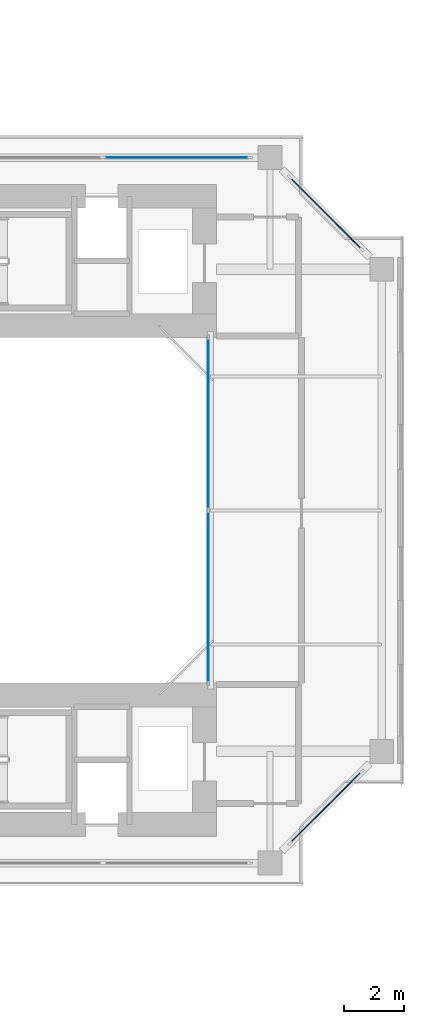
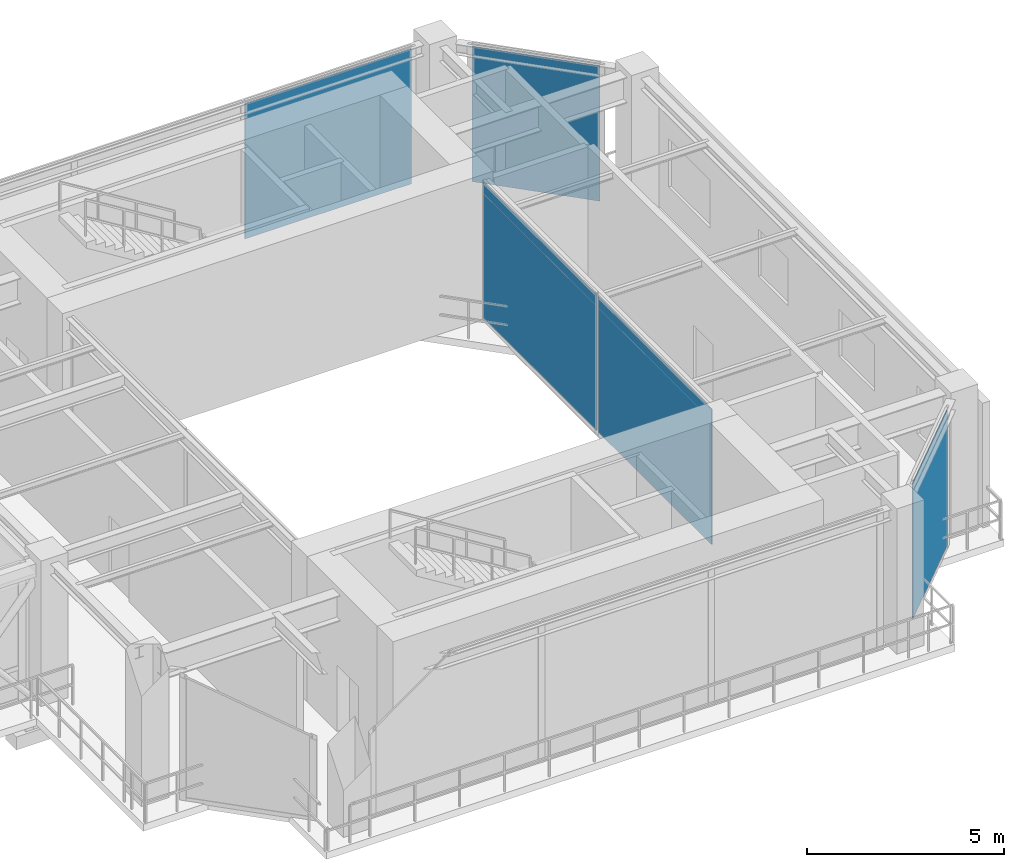
# One storey, part 14 of 25: 5 plates, 4 elements without a shape of their own.
"""IFC4 building model written with IfcOpenShell, lengths in metres."""

from ifc_helpers import new_model, si_unit, direction, frame, origin, origin_2d, place, context, subcontext, project, spatial, rectangle, extrude, source, transform, mapped, material, layer, layer_set, type_object, element, aggregate, save


model = new_model("IFC4")

# Units and contexts
model_context = context("Model", 3, precision=1e-05, world=origin(), true_north=direction((0.0, 1.0)))
body_context = subcontext(model_context, "Body", "Model", "MODEL_VIEW")
ifc_project = project(units=[si_unit("LENGTHUNIT", "METRE"), si_unit("AREAUNIT", "SQUARE_METRE"), si_unit("VOLUMEUNIT", "CUBIC_METRE"), si_unit("PLANEANGLEUNIT", "RADIAN"), si_unit("MASSUNIT", "GRAM", prefix="KILO"), si_unit("THERMODYNAMICTEMPERATUREUNIT", "KELVIN"), si_unit("POWERUNIT", "WATT")], contexts=[model_context])

# Site, building, storey
site_placement = place(None, origin())
site = spatial("IfcSite", under=ifc_project, at=site_placement, CompositionType="ELEMENT")
building_placement = place(site_placement, origin())
building = spatial("IfcBuilding", under=site, at=building_placement, Name="Qiaomeng Ring Towers", CompositionType="ELEMENT")
storey_placement = place(building_placement, frame((0.0, 0.0, 92.5)))
storey = spatial("IfcBuildingStorey", under=building, at=storey_placement, Name="L26", CompositionType="ELEMENT", Elevation=92.5)

# Curtain wall, plates
ifc_material_1 = material(Name="Fluorocarbon dark-grey aluminium", Category="aluminium")
ifc_layer_1 = layer(ifc_material_1, 0.139892578125, Name="Fluorocarbon dark-grey aluminium")
ifc_layer_set_1 = layer_set([ifc_layer_1], Name="Fluorocarbon dark-grey aluminium")
curtain_wall_type_1 = type_object("IfcCurtainWallType", Name="ARC-CW-4", PredefinedType="NOTDEFINED", material=ifc_layer_set_1)
curtain_wall_1_placement = place(storey_placement, origin())
curtain_wall_1 = element("IfcCurtainWall", 1, at=curtain_wall_1_placement, inside=storey, type_object=curtain_wall_type_1, Name="L26 Curtain Wall CW4", PredefinedType="NOTDEFINED")
ifc_material_2 = material(Name="Low-E dark-grey laminated double glazing", Category="glass")
ifc_layer_2 = layer(ifc_material_2, 0.028076171875, Name="Low-E dark-grey laminated double glazing")
ifc_layer_set_2 = layer_set([ifc_layer_2], Name="Low-E dark-grey laminated double glazing")
plate_type = type_object("IfcPlateType", Name="ARC-CWP-DARK", PredefinedType="CURTAIN_PANEL", material=ifc_layer_set_2)
shared_shape_1 = source(origin(), body_context, "Body", "SweptSolid", [
    extrude(rectangle(XDim=5.75244140625, YDim=0.028076171875, at=origin_2d()), origin(), (0.0, 0.0, 1.0), 4.18994140625),
])
plate_1_placement = place(storey_placement, frame((66.52001953125, 20.09130859375, 0.06494140625), z_axis=(0.0, 0.0, 1.0), x_axis=(0.0, 1.0, 0.0)))
plate_1 = element("IfcPlate", 2, at=plate_1_placement, type_object=plate_type, Name="CW4 panel 1.1", PredefinedType="CURTAIN_PANEL", context=body_context, shape_type="MappedRepresentation", body=[
    mapped(shared_shape_1, transform((0.0, 0.0, 0.0), x_axis=(1.0, 0.0, 0.0), y_axis=(0.0, 1.0, 0.0), z_axis=(0.0, 0.0, 1.0), scale=1.0)),
])
plate_2_placement = place(storey_placement, frame((66.52001953125, 25.90869140625, 0.06494140625), z_axis=(0.0, 0.0, 1.0), x_axis=(0.0, 1.0, 0.0)))
plate_2 = element("IfcPlate", 3, at=plate_2_placement, type_object=plate_type, Name="CW4 panel 2.1", PredefinedType="CURTAIN_PANEL", context=body_context, shape_type="MappedRepresentation", body=[
    mapped(shared_shape_1, transform((0.0, 0.0, 0.0), x_axis=(1.0, 0.0, 0.0), y_axis=(0.0, 1.0, 0.0), z_axis=(0.0, 0.0, 1.0), scale=1.0)),
])
aggregate(curtain_wall_1, [plate_1, plate_2])

# Curtain wall, plate
ifc_layer_3 = layer(ifc_material_1, 0.14990234375, Name="Fluorocarbon dark-grey aluminium")
ifc_layer_set_3 = layer_set([ifc_layer_3], Name="Fluorocarbon dark-grey aluminium")
curtain_wall_type_2 = type_object("IfcCurtainWallType", Name="ARC-CW-5", PredefinedType="NOTDEFINED", material=ifc_layer_set_3)
curtain_wall_2_placement = place(storey_placement, origin())
curtain_wall_2 = element("IfcCurtainWall", 4, at=curtain_wall_2_placement, inside=storey, type_object=curtain_wall_type_2, Name="L26 Curtain Wall CW5", PredefinedType="NOTDEFINED")
shared_shape_2 = source(origin(), body_context, "Body", "SweptSolid", [
    extrude(rectangle(XDim=4.868408203125, YDim=0.028076171875, at=origin_2d()), origin(), (0.0, 0.0, 1.0), 4.18994140625),
])
plate_3_placement = place(storey_placement, frame((65.455810546875, 34.85009765625, 0.06494140625), z_axis=(0.0, 0.0, 1.0), x_axis=(1.0, 0.0, 0.0)))
plate_3 = element("IfcPlate", 5, at=plate_3_placement, type_object=plate_type, Name="CW5 panel 3.1", PredefinedType="CURTAIN_PANEL", context=body_context, shape_type="MappedRepresentation", body=[
    mapped(shared_shape_2, transform((0.0, 0.0, 0.0), x_axis=(1.0, 0.0, 0.0), y_axis=(0.0, 1.0, 0.0), z_axis=(0.0, 0.0, 1.0), scale=1.0)),
])
aggregate(curtain_wall_2, [plate_3])

curtain_wall_3_placement = place(storey_placement, origin())
curtain_wall_3 = element("IfcCurtainWall", 6, at=curtain_wall_3_placement, inside=storey, type_object=curtain_wall_type_2, Name="L26 Curtain Wall CW5", PredefinedType="NOTDEFINED")
shared_shape_3 = source(origin(), body_context, "Body", "SweptSolid", [
    extrude(rectangle(XDim=3.35302734375, YDim=0.028076171875, at=origin_2d()), origin(), (0.0, 0.0, 1.0), 4.18994140625),
])
plate_4_placement = place(storey_placement, frame((70.47509765625, 13.02490234375, 0.06494140625), z_axis=(0.0, 0.0, 1.0), x_axis=(0.707106781187, 0.707106781187, 0.0)))
plate_4 = element("IfcPlate", 7, at=plate_4_placement, type_object=plate_type, Name="CW5 panel 1.1", PredefinedType="CURTAIN_PANEL", context=body_context, shape_type="MappedRepresentation", body=[
    mapped(shared_shape_3, transform((0.0, 0.0, 0.0), x_axis=(1.0, 0.0, 0.0), y_axis=(0.0, 1.0, 0.0), z_axis=(0.0, 0.0, 1.0), scale=1.0)),
])
aggregate(curtain_wall_3, [plate_4])

curtain_wall_4_placement = place(storey_placement, origin())
curtain_wall_4 = element("IfcCurtainWall", 8, at=curtain_wall_4_placement, inside=storey, type_object=curtain_wall_type_2, Name="L26 Curtain Wall CW5", PredefinedType="NOTDEFINED")
plate_5_placement = place(storey_placement, frame((70.47509765625, 32.97509765625, 0.06494140625), z_axis=(0.0, 0.0, 1.0), x_axis=(-0.707106781187, 0.707106781187, 0.0)))
plate_5 = element("IfcPlate", 9, at=plate_5_placement, type_object=plate_type, Name="CW5 panel 1.1", PredefinedType="CURTAIN_PANEL", context=body_context, shape_type="MappedRepresentation", body=[
    mapped(shared_shape_3, transform((0.0, 0.0, 0.0), x_axis=(1.0, 0.0, 0.0), y_axis=(0.0, 1.0, 0.0), z_axis=(0.0, 0.0, 1.0), scale=1.0)),
])
aggregate(curtain_wall_4, [plate_5])

save(model, "model.ifc")
